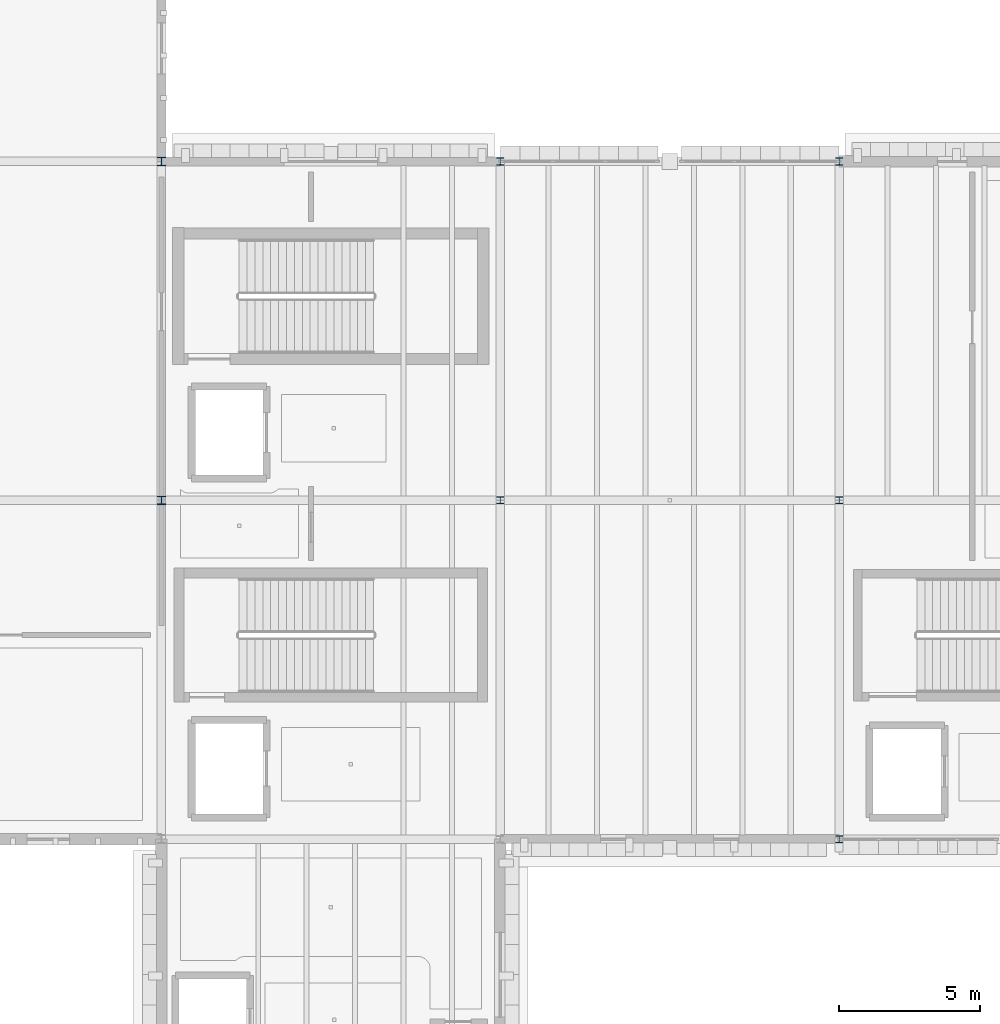
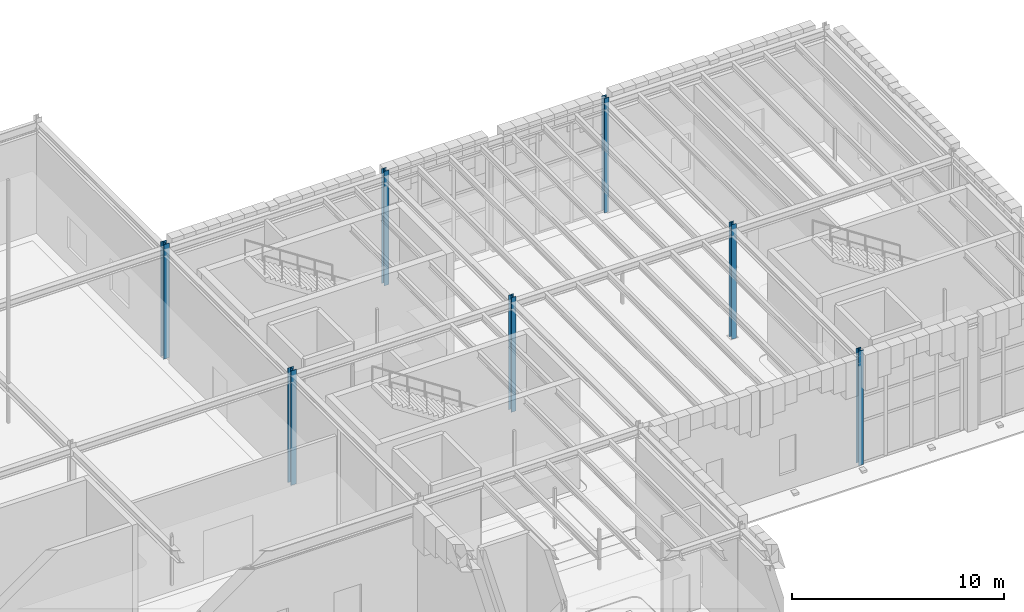
# One storey, part 9 of 62: 7 columns.
"""IFC4 building model written with IfcOpenShell, lengths in metres."""

import ifcopenshell
import ifcopenshell.guid

model = None  # the IFC model being written
_history = None  # IfcOwnerHistory: only IFC2X3 demands one
_inside = {}  # id of a spatial element -> (the spatial element, [elements in it])
_under = {}  # id of a project, library or spatial element -> (it, [spatial elements below it])
_declared = {}  # id of a project -> (the project, [libraries it declares])
_typed = {}  # id of a type object -> (the type object, [elements of that type])
_made_of = {}  # id of a material, layer set ... -> (it, [elements and type objects made of it])


def new_model(schema):
    """Start an empty IFC model of exactly this schema.

    Asked for "IFC4X3", IfcOpenShell would pick the latest addendum, in which some entities
    have other attributes; the version numbers below select the first issue.
    IFC2X3 requires an IfcOwnerHistory on every rooted entity: one is made here for all.
    """
    global model, _history
    if schema == "IFC4X3":
        model = ifcopenshell.file(schema_version=(4, 3, 0, 0))
    else:
        model = ifcopenshell.file(schema=schema)
    _inside.clear()
    _under.clear()
    _declared.clear()
    _typed.clear()
    _made_of.clear()
    _history = None
    if model.schema == "IFC2X3":
        org = make("IfcOrganization", Name="unknown")
        user = make(
            "IfcPersonAndOrganization",
            ThePerson=make("IfcPerson", FamilyName="unknown"),
            TheOrganization=org,
        )
        app = make(
            "IfcApplication",
            ApplicationDeveloper=org,
            Version="unknown",
            ApplicationFullName="unknown",
            ApplicationIdentifier="unknown",
        )
        _history = make(
            "IfcOwnerHistory",
            OwningUser=user,
            OwningApplication=app,
            ChangeAction="ADDED",
            CreationDate=0,
        )
    return model


def make(cls, **values):
    """One entity of the class cls with the attributes given. An attribute that is None is left unset."""
    return model.create_entity(
        cls, **{name: value for name, value in values.items() if value is not None}
    )


def rooted(cls, **values):
    """An entity with a GlobalId (a new one), such as an element, a storey or a relation."""
    return make(cls, GlobalId=ifcopenshell.guid.new(), OwnerHistory=_history, **values)


def si_unit(unit_type, name, prefix=None):
    """IfcSIUnit, for example si_unit("LENGTHUNIT", "METRE", prefix="MILLI")."""
    return make("IfcSIUnit", UnitType=unit_type, Prefix=prefix, Name=name)


def assignment(units):
    """IfcUnitAssignment: the units of a project."""
    return None if units is None else make("IfcUnitAssignment", Units=units)


def point(xyz):
    """IfcCartesianPoint."""
    return None if xyz is None else make("IfcCartesianPoint", Coordinates=xyz)


def direction(xyz):
    """IfcDirection."""
    return None if xyz is None else make("IfcDirection", DirectionRatios=xyz)


def frame(location, z_axis=None, x_axis=None):
    """IfcAxis2Placement3D, a coordinate frame: its origin and axes. An axis left out is left unset."""
    return make(
        "IfcAxis2Placement3D",
        Location=point(location),
        Axis=direction(z_axis),
        RefDirection=direction(x_axis),
    )


def frame_2d(location, x_axis=None):
    """IfcAxis2Placement2D, a coordinate frame in the plane: its origin and x axis."""
    return make(
        "IfcAxis2Placement2D", Location=point(location), RefDirection=direction(x_axis)
    )


def origin():
    """The frame at (0, 0, 0) with its axes left unset."""
    return frame((0.0, 0.0, 0.0))


def origin_2d():
    """The frame at (0, 0) in the plane with its x axis left unset."""
    return frame_2d((0.0, 0.0))


def place(relative_to, where):
    """IfcLocalPlacement: puts the frame where relative to a parent placement (None: the world)."""
    return make(
        "IfcLocalPlacement", PlacementRelTo=relative_to, RelativePlacement=where
    )


def context(
    kind, dimensions, precision=None, world=None, true_north=None, identifier=None
):
    """IfcGeometricRepresentationContext, for example the 3D "Model" context."""
    return make(
        "IfcGeometricRepresentationContext",
        ContextIdentifier=identifier,
        ContextType=kind,
        CoordinateSpaceDimension=dimensions,
        Precision=precision,
        WorldCoordinateSystem=world,
        TrueNorth=true_north,
    )


def subcontext(parent, identifier, kind, view, scale=None):
    """IfcGeometricRepresentationSubContext, for example "Body" below "Model"."""
    return make(
        "IfcGeometricRepresentationSubContext",
        ContextIdentifier=identifier,
        ContextType=kind,
        ParentContext=parent,
        TargetScale=scale,
        TargetView=view,
    )


def project(units=None, contexts=None):
    """IfcProject with its units and contexts."""
    return rooted(
        "IfcProject",
        Name="project",
        RepresentationContexts=contexts,
        UnitsInContext=assignment(units),
    )


def spatial(cls, under=None, at=None, **own):
    """A site, building, storey or space (cls), placed at a placement, below another one or the project."""
    s = rooted(cls, ObjectPlacement=at, **own)
    if under is not None:
        _under.setdefault(under.id(), (under, []))[1].append(s)
    return s


def profile(cls, at=None, kind="AREA", **sizes):
    """A parametric profile (cls). Its sizes go by their IFC names, for example OverallWidth=200.0."""
    return make(cls, ProfileType=kind, Position=at, **sizes)


def i_section(**sizes):
    """IfcIShapeProfileDef."""
    return profile("IfcIShapeProfileDef", **sizes)


def extrude(swept, where, along, depth):
    """IfcExtrudedAreaSolid: the profile swept, set in the frame where, extruded along a direction by depth."""
    return make(
        "IfcExtrudedAreaSolid",
        SweptArea=swept,
        Position=where,
        ExtrudedDirection=direction(along),
        Depth=depth,
    )


def shape(context_of_items, identifier, shape_type, items):
    """IfcShapeRepresentation: the items that make up one representation, for example the "Body"."""
    return make(
        "IfcShapeRepresentation",
        ContextOfItems=context_of_items,
        RepresentationIdentifier=identifier,
        RepresentationType=shape_type,
        Items=items,
    )


def material(Name=None, Category=None):
    """IfcMaterial."""
    return make("IfcMaterial", Name=Name, Category=Category)


def material_profile(
    of_material, cross_section, Name=None, Category=None, Priority=None
):
    """IfcMaterialProfile: a cross section and its material."""
    return make(
        "IfcMaterialProfile",
        Name=Name,
        Material=of_material,
        Profile=cross_section,
        Priority=Priority,
        Category=Category,
    )


def profile_set(profiles, Name=None, composite=None):
    """IfcMaterialProfileSet."""
    return make(
        "IfcMaterialProfileSet",
        Name=Name,
        MaterialProfiles=profiles,
        CompositeProfile=composite,
    )


def made_of(thing, what):
    """Note that an element or type object is made of a material, layer set ...; save() writes the relation."""
    if what is not None:
        _made_of.setdefault(what.id(), (what, []))[1].append(thing)
    return thing


def type_object(cls, material=None, **own):
    """A type object (cls), such as IfcWallType, which elements share."""
    return made_of(rooted(cls, **own), material)


def element(
    cls,
    number,
    at=None,
    inside=None,
    cuts=None,
    type_object=None,
    material=None,
    context=None,
    identifier="Body",
    shape_type=None,
    held_by="IfcProductDefinitionShape",
    body=None,
    shapes=None,
    **own,
):
    """One element of the class cls, such as IfcWall. Its Tag is "e" and its number.

    at: its placement. inside: the storey or other place that contains it. cuts: it is an
    opening in that element (IfcRelVoidsElement). A single representation is given by context,
    identifier, shape_type and body (its items); several are given by shapes. held_by: the class
    of the entity that holds the representations. save() writes the other relations.
    """
    e = rooted(cls, Tag="e%d" % number, ObjectPlacement=at, **own)
    if body is not None:
        shapes = [shape(context, identifier, shape_type, body)]
    if shapes is not None:
        e.Representation = make(held_by, Representations=shapes)
    if inside is not None:
        _inside.setdefault(inside.id(), (inside, []))[1].append(e)
    if cuts is not None:
        rooted(
            "IfcRelVoidsElement", RelatingBuildingElement=cuts, RelatedOpeningElement=e
        )
    if type_object is not None:
        _typed.setdefault(type_object.id(), (type_object, []))[1].append(e)
    return made_of(e, material)


def aggregate(whole, parts):
    """IfcRelAggregates: a whole, such as a stair, and the parts it consists of."""
    return rooted("IfcRelAggregates", RelatingObject=whole, RelatedObjects=parts)


def save(model, path):
    """Write the relations noted so far, then the file.

    IfcRelAggregates (storeys below a building ...), IfcRelContainedInSpatialStructure (elements
    in a storey), IfcRelDefinesByType, IfcRelAssociatesMaterial and IfcRelDeclares: one each for
    every whole, place, type object, material and project.
    """
    for whole, parts in _under.values():
        aggregate(whole, parts)
    for where, things in _inside.values():
        rooted(
            "IfcRelContainedInSpatialStructure",
            RelatedElements=things,
            RelatingStructure=where,
        )
    for kind, things in _typed.values():
        rooted("IfcRelDefinesByType", RelatedObjects=things, RelatingType=kind)
    for what, things in _made_of.values():
        rooted("IfcRelAssociatesMaterial", RelatedObjects=things, RelatingMaterial=what)
    for by, libraries in _declared.values():
        rooted("IfcRelDeclares", RelatingContext=by, RelatedDefinitions=libraries)
    model.write(path)


model = new_model("IFC4")

# Units and contexts
model_context = context("Model", 3, precision=1e-05, world=origin(), true_north=direction((0.0, 1.0)))
body_context = subcontext(model_context, "Body", "Model", "MODEL_VIEW")
ifc_project = project(units=[si_unit("LENGTHUNIT", "METRE"), si_unit("AREAUNIT", "SQUARE_METRE"), si_unit("VOLUMEUNIT", "CUBIC_METRE"), si_unit("PLANEANGLEUNIT", "RADIAN"), si_unit("MASSUNIT", "GRAM", prefix="KILO")], contexts=[model_context])

# Site, building, storey
site_placement = place(None, origin())
site = spatial("IfcSite", under=ifc_project, at=site_placement, CompositionType="ELEMENT")
building_placement = place(site_placement, origin())
building = spatial("IfcBuilding", under=site, at=building_placement, Name="Zlatogorsky Bluff Art Gallery", CompositionType="ELEMENT")
storey_placement = place(building_placement, frame((0.0, 0.0, 16.800048828125)))
storey = spatial("IfcBuildingStorey", under=building, at=storey_placement, Name="L03", CompositionType="ELEMENT", Elevation=16.800048828125)

# Columns
ifc_material = material(Name="Steel S355", Category="steel")
ifc_material_profile_1 = material_profile(ifc_material, i_section(OverallWidth=0.300048828125, OverallDepth=0.300048828125, WebThickness=0.010986328125, FlangeThickness=0.01904296875, FilletRadius=0.027099609375, at=origin_2d()), Name="HEB 300")
ifc_profile_set_1 = profile_set([ifc_material_profile_1], Name="Steel S355")
column_type_1 = type_object("IfcColumnType", Name="Column CL-06 HEB 300", PredefinedType="COLUMN", material=ifc_profile_set_1)
for number, where, z_axis, x_axis, name in (
    (1, (120.0, 96.0, 0.0), (0.0, 0.0, 1.0), (1.0, 0.0, 0.0), "Column CL-06 L03 L10"),
    (2, (120.0, 108.0, 0.0), (0.0, 0.0, 1.0), (1.0, 0.0, 0.0), "Column CL-06 L03 L11"),
):
    element("IfcColumn", number, at=place(storey_placement, frame(where, z_axis=z_axis, x_axis=x_axis)), inside=storey, type_object=column_type_1, Name=name, PredefinedType="COLUMN", context=body_context, shape_type="SweptSolid", body=[
        extrude(i_section(OverallWidth=0.300048828125, OverallDepth=0.300048828125, WebThickness=0.010986328125, FlangeThickness=0.01904296875, FilletRadius=0.027099609375, at=origin_2d()), origin(), (0.0, 0.0, 1.0), 6.599853515625),
    ])
ifc_material_profile_2 = material_profile(ifc_material, i_section(OverallWidth=0.260009765625, OverallDepth=0.260009765625, WebThickness=0.010009765625, FlangeThickness=0.017578125, FilletRadius=0.02392578125, at=origin_2d()), Name="HEB 260")
ifc_profile_set_2 = profile_set([ifc_material_profile_2], Name="Steel S355")
column_type_2 = type_object("IfcColumnType", Name="Column CL-08 HEB 260", PredefinedType="COLUMN", material=ifc_profile_set_2)
for number, where, z_axis, x_axis, name in (
    (3, (132.0, 96.0, 0.0), (0.0, 0.0, 1.0), (1.0, 0.0, 0.0), "Column CL-08 L03 M10"),
    (4, (132.0, 108.0, 0.0), (0.0, 0.0, 1.0), (1.0, 0.0, 0.0), "Column CL-08 L03 M11"),
    (5, (144.0, 84.0, 0.0), (0.0, 0.0, 1.0), (1.0, 0.0, 0.0), "Column CL-08 L03 N9"),
    (6, (144.0, 96.0, 0.0), (0.0, 0.0, 1.0), (1.0, 0.0, 0.0), "Column CL-08 L03 N10"),
    (7, (144.0, 108.0, 0.0), (0.0, 0.0, 1.0), (1.0, 0.0, 0.0), "Column CL-08 L03 N11"),
):
    element("IfcColumn", number, at=place(storey_placement, frame(where, z_axis=z_axis, x_axis=x_axis)), inside=storey, type_object=column_type_2, Name=name, PredefinedType="COLUMN", context=body_context, shape_type="SweptSolid", body=[
        extrude(i_section(OverallWidth=0.260009765625, OverallDepth=0.260009765625, WebThickness=0.010009765625, FlangeThickness=0.017578125, FilletRadius=0.02392578125, at=origin_2d()), origin(), (0.0, 0.0, 1.0), 6.599853515625),
    ])

save(model, "model.ifc")
